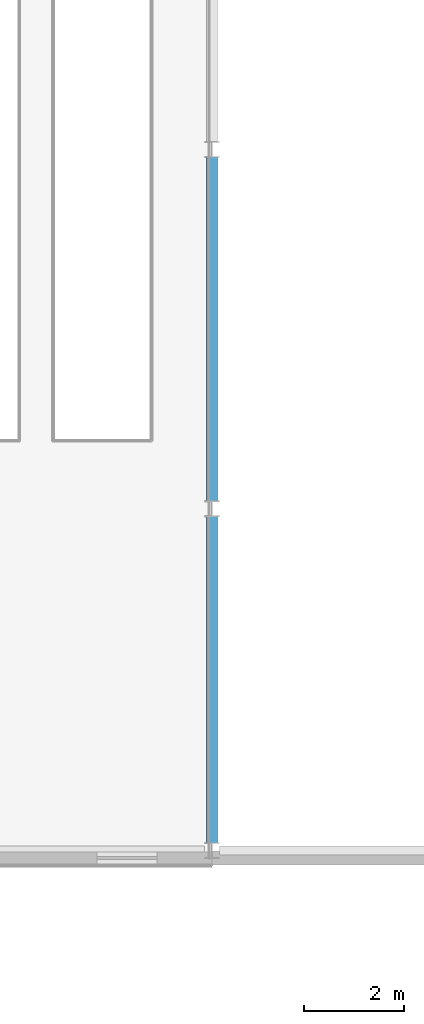
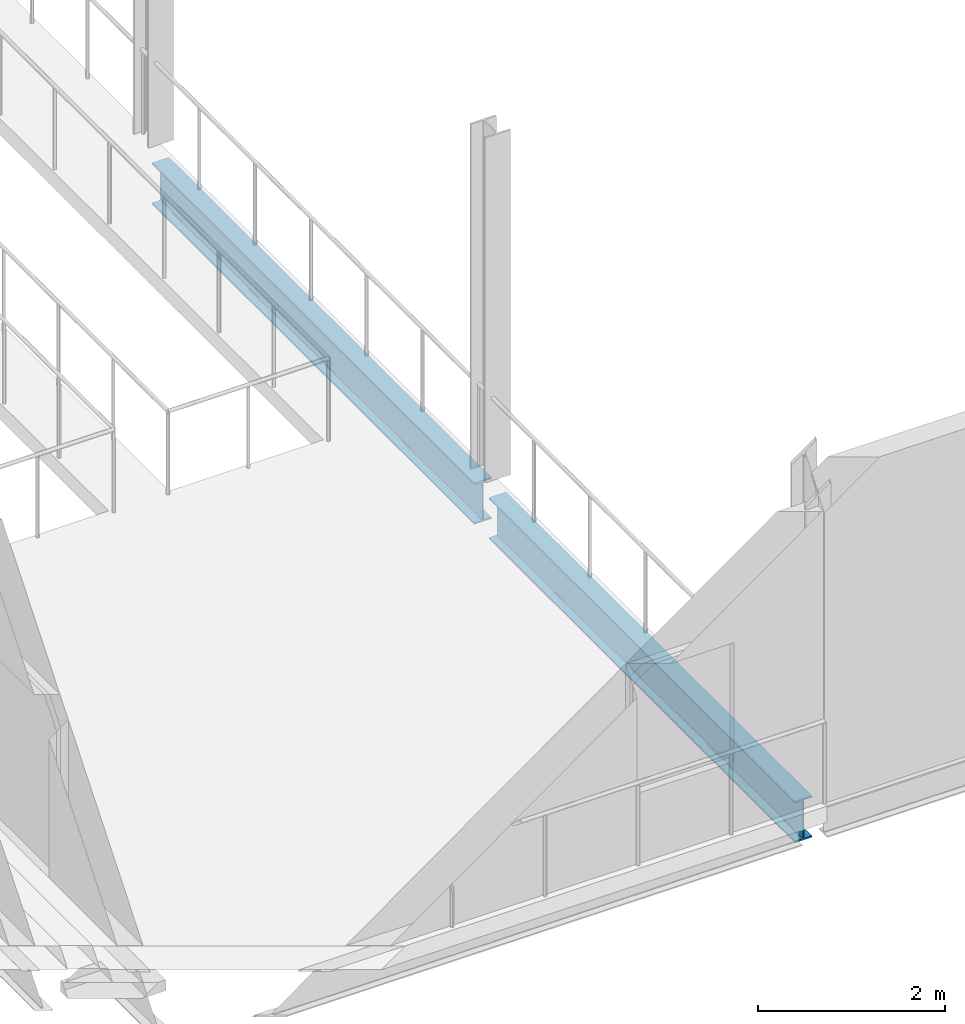
# One storey, part 43 of 77: 2 beams.
"""IFC4 building model written with IfcOpenShell, lengths in metres."""

import ifcopenshell
import ifcopenshell.guid

model = None  # the IFC model being written
_history = None  # IfcOwnerHistory: only IFC2X3 demands one
_inside = {}  # id of a spatial element -> (the spatial element, [elements in it])
_under = {}  # id of a project, library or spatial element -> (it, [spatial elements below it])
_declared = {}  # id of a project -> (the project, [libraries it declares])
_typed = {}  # id of a type object -> (the type object, [elements of that type])
_made_of = {}  # id of a material, layer set ... -> (it, [elements and type objects made of it])


def new_model(schema):
    """Start an empty IFC model of exactly this schema.

    Asked for "IFC4X3", IfcOpenShell would pick the latest addendum, in which some entities
    have other attributes; the version numbers below select the first issue.
    IFC2X3 requires an IfcOwnerHistory on every rooted entity: one is made here for all.
    """
    global model, _history
    if schema == "IFC4X3":
        model = ifcopenshell.file(schema_version=(4, 3, 0, 0))
    else:
        model = ifcopenshell.file(schema=schema)
    _inside.clear()
    _under.clear()
    _declared.clear()
    _typed.clear()
    _made_of.clear()
    _history = None
    if model.schema == "IFC2X3":
        org = make("IfcOrganization", Name="unknown")
        user = make(
            "IfcPersonAndOrganization",
            ThePerson=make("IfcPerson", FamilyName="unknown"),
            TheOrganization=org,
        )
        app = make(
            "IfcApplication",
            ApplicationDeveloper=org,
            Version="unknown",
            ApplicationFullName="unknown",
            ApplicationIdentifier="unknown",
        )
        _history = make(
            "IfcOwnerHistory",
            OwningUser=user,
            OwningApplication=app,
            ChangeAction="ADDED",
            CreationDate=0,
        )
    return model


def make(cls, **values):
    """One entity of the class cls with the attributes given. An attribute that is None is left unset."""
    return model.create_entity(
        cls, **{name: value for name, value in values.items() if value is not None}
    )


def rooted(cls, **values):
    """An entity with a GlobalId (a new one), such as an element, a storey or a relation."""
    return make(cls, GlobalId=ifcopenshell.guid.new(), OwnerHistory=_history, **values)


def si_unit(unit_type, name, prefix=None):
    """IfcSIUnit, for example si_unit("LENGTHUNIT", "METRE", prefix="MILLI")."""
    return make("IfcSIUnit", UnitType=unit_type, Prefix=prefix, Name=name)


def assignment(units):
    """IfcUnitAssignment: the units of a project."""
    return None if units is None else make("IfcUnitAssignment", Units=units)


def point(xyz):
    """IfcCartesianPoint."""
    return None if xyz is None else make("IfcCartesianPoint", Coordinates=xyz)


def direction(xyz):
    """IfcDirection."""
    return None if xyz is None else make("IfcDirection", DirectionRatios=xyz)


def frame(location, z_axis=None, x_axis=None):
    """IfcAxis2Placement3D, a coordinate frame: its origin and axes. An axis left out is left unset."""
    return make(
        "IfcAxis2Placement3D",
        Location=point(location),
        Axis=direction(z_axis),
        RefDirection=direction(x_axis),
    )


def frame_2d(location, x_axis=None):
    """IfcAxis2Placement2D, a coordinate frame in the plane: its origin and x axis."""
    return make(
        "IfcAxis2Placement2D", Location=point(location), RefDirection=direction(x_axis)
    )


def origin():
    """The frame at (0, 0, 0) with its axes left unset."""
    return frame((0.0, 0.0, 0.0))


def origin_2d():
    """The frame at (0, 0) in the plane with its x axis left unset."""
    return frame_2d((0.0, 0.0))


def place(relative_to, where):
    """IfcLocalPlacement: puts the frame where relative to a parent placement (None: the world)."""
    return make(
        "IfcLocalPlacement", PlacementRelTo=relative_to, RelativePlacement=where
    )


def context(
    kind, dimensions, precision=None, world=None, true_north=None, identifier=None
):
    """IfcGeometricRepresentationContext, for example the 3D "Model" context."""
    return make(
        "IfcGeometricRepresentationContext",
        ContextIdentifier=identifier,
        ContextType=kind,
        CoordinateSpaceDimension=dimensions,
        Precision=precision,
        WorldCoordinateSystem=world,
        TrueNorth=true_north,
    )


def subcontext(parent, identifier, kind, view, scale=None):
    """IfcGeometricRepresentationSubContext, for example "Body" below "Model"."""
    return make(
        "IfcGeometricRepresentationSubContext",
        ContextIdentifier=identifier,
        ContextType=kind,
        ParentContext=parent,
        TargetScale=scale,
        TargetView=view,
    )


def project(units=None, contexts=None):
    """IfcProject with its units and contexts."""
    return rooted(
        "IfcProject",
        Name="project",
        RepresentationContexts=contexts,
        UnitsInContext=assignment(units),
    )


def spatial(cls, under=None, at=None, **own):
    """A site, building, storey or space (cls), placed at a placement, below another one or the project."""
    s = rooted(cls, ObjectPlacement=at, **own)
    if under is not None:
        _under.setdefault(under.id(), (under, []))[1].append(s)
    return s


def profile(cls, at=None, kind="AREA", **sizes):
    """A parametric profile (cls). Its sizes go by their IFC names, for example OverallWidth=200.0."""
    return make(cls, ProfileType=kind, Position=at, **sizes)


def i_section(**sizes):
    """IfcIShapeProfileDef."""
    return profile("IfcIShapeProfileDef", **sizes)


def extrude(swept, where, along, depth):
    """IfcExtrudedAreaSolid: the profile swept, set in the frame where, extruded along a direction by depth."""
    return make(
        "IfcExtrudedAreaSolid",
        SweptArea=swept,
        Position=where,
        ExtrudedDirection=direction(along),
        Depth=depth,
    )


def shape(context_of_items, identifier, shape_type, items):
    """IfcShapeRepresentation: the items that make up one representation, for example the "Body"."""
    return make(
        "IfcShapeRepresentation",
        ContextOfItems=context_of_items,
        RepresentationIdentifier=identifier,
        RepresentationType=shape_type,
        Items=items,
    )


def material(Name=None, Category=None):
    """IfcMaterial."""
    return make("IfcMaterial", Name=Name, Category=Category)


def material_profile(
    of_material, cross_section, Name=None, Category=None, Priority=None
):
    """IfcMaterialProfile: a cross section and its material."""
    return make(
        "IfcMaterialProfile",
        Name=Name,
        Material=of_material,
        Profile=cross_section,
        Priority=Priority,
        Category=Category,
    )


def profile_set(profiles, Name=None, composite=None):
    """IfcMaterialProfileSet."""
    return make(
        "IfcMaterialProfileSet",
        Name=Name,
        MaterialProfiles=profiles,
        CompositeProfile=composite,
    )


def made_of(thing, what):
    """Note that an element or type object is made of a material, layer set ...; save() writes the relation."""
    if what is not None:
        _made_of.setdefault(what.id(), (what, []))[1].append(thing)
    return thing


def type_object(cls, material=None, **own):
    """A type object (cls), such as IfcWallType, which elements share."""
    return made_of(rooted(cls, **own), material)


def element(
    cls,
    number,
    at=None,
    inside=None,
    cuts=None,
    type_object=None,
    material=None,
    context=None,
    identifier="Body",
    shape_type=None,
    held_by="IfcProductDefinitionShape",
    body=None,
    shapes=None,
    **own,
):
    """One element of the class cls, such as IfcWall. Its Tag is "e" and its number.

    at: its placement. inside: the storey or other place that contains it. cuts: it is an
    opening in that element (IfcRelVoidsElement). A single representation is given by context,
    identifier, shape_type and body (its items); several are given by shapes. held_by: the class
    of the entity that holds the representations. save() writes the other relations.
    """
    e = rooted(cls, Tag="e%d" % number, ObjectPlacement=at, **own)
    if body is not None:
        shapes = [shape(context, identifier, shape_type, body)]
    if shapes is not None:
        e.Representation = make(held_by, Representations=shapes)
    if inside is not None:
        _inside.setdefault(inside.id(), (inside, []))[1].append(e)
    if cuts is not None:
        rooted(
            "IfcRelVoidsElement", RelatingBuildingElement=cuts, RelatedOpeningElement=e
        )
    if type_object is not None:
        _typed.setdefault(type_object.id(), (type_object, []))[1].append(e)
    return made_of(e, material)


def aggregate(whole, parts):
    """IfcRelAggregates: a whole, such as a stair, and the parts it consists of."""
    return rooted("IfcRelAggregates", RelatingObject=whole, RelatedObjects=parts)


def save(model, path):
    """Write the relations noted so far, then the file.

    IfcRelAggregates (storeys below a building ...), IfcRelContainedInSpatialStructure (elements
    in a storey), IfcRelDefinesByType, IfcRelAssociatesMaterial and IfcRelDeclares: one each for
    every whole, place, type object, material and project.
    """
    for whole, parts in _under.values():
        aggregate(whole, parts)
    for where, things in _inside.values():
        rooted(
            "IfcRelContainedInSpatialStructure",
            RelatedElements=things,
            RelatingStructure=where,
        )
    for kind, things in _typed.values():
        rooted("IfcRelDefinesByType", RelatedObjects=things, RelatingType=kind)
    for what, things in _made_of.values():
        rooted("IfcRelAssociatesMaterial", RelatedObjects=things, RelatingMaterial=what)
    for by, libraries in _declared.values():
        rooted("IfcRelDeclares", RelatingContext=by, RelatedDefinitions=libraries)
    model.write(path)


model = new_model("IFC4")

# Units and contexts
model_context = context("Model", 3, precision=1e-05, world=origin(), true_north=direction((0.0, 1.0)))
body_context = subcontext(model_context, "Body", "Model", "MODEL_VIEW")
ifc_project = project(units=[si_unit("LENGTHUNIT", "METRE"), si_unit("AREAUNIT", "SQUARE_METRE"), si_unit("VOLUMEUNIT", "CUBIC_METRE"), si_unit("PLANEANGLEUNIT", "RADIAN"), si_unit("MASSUNIT", "GRAM", prefix="KILO")], contexts=[model_context])

# Site, building, storey
site_placement = place(None, origin())
site = spatial("IfcSite", under=ifc_project, at=site_placement, CompositionType="ELEMENT")
building_placement = place(site_placement, origin())
building = spatial("IfcBuilding", under=site, at=building_placement, Name="Quillay Park Conservatory", CompositionType="ELEMENT")
storey_placement = place(building_placement, frame((0.0, 0.0, 5.39990234375)))
storey = spatial("IfcBuildingStorey", under=building, at=storey_placement, Name="L01", CompositionType="ELEMENT", Elevation=5.39990234375)

# Beams
ifc_material = material(Name="Steel ASTM A992 Grade 50", Category="steel")
ifc_material_profile = material_profile(ifc_material, i_section(OverallWidth=0.2109375, OverallDepth=0.5390625, WebThickness=0.01171875, FlangeThickness=0.018798828125, FilletRadius=0.013916015625, at=origin_2d()), Name="W530x109")
ifc_profile_set = profile_set([ifc_material_profile], Name="Steel ASTM A992 Grade 50")
beam_type = type_object("IfcBeamType", Name="PRIMARY FLOOR GIRDER W530 X109", PredefinedType="BEAM", material=ifc_profile_set)
beam_1_placement = place(storey_placement, frame((123.60009765625, 85.705078125, -0.4794921875), z_axis=(0.0, 1.0, 0.0), x_axis=(-1.0, 0.0, 0.0)))
element("IfcBeam", 1, at=beam_1_placement, inside=storey, type_object=beam_type, Name="L01 beam BM-V2Y-1715", PredefinedType="BEAM", context=body_context, shape_type="SweptSolid", body=[
    extrude(i_section(OverallWidth=0.2109375, OverallDepth=0.5390625, WebThickness=0.01171875, FlangeThickness=0.018798828125, FilletRadius=0.013916015625, at=origin_2d()), origin(), (0.0, 0.0, 1.0), 6.5400390625),
])
beam_2_placement = place(storey_placement, frame((123.60009765625, 92.554931640625, -0.4794921875), z_axis=(0.0, 1.0, 0.0), x_axis=(-1.0, 0.0, 0.0)))
element("IfcBeam", 2, at=beam_2_placement, inside=storey, type_object=beam_type, Name="L01 beam BM-V2Y-1716", PredefinedType="BEAM", context=body_context, shape_type="SweptSolid", body=[
    extrude(i_section(OverallWidth=0.2109375, OverallDepth=0.5390625, WebThickness=0.01171875, FlangeThickness=0.018798828125, FilletRadius=0.013916015625, at=origin_2d()), origin(), (0.0, 0.0, 1.0), 6.89013671875),
])

save(model, "model.ifc")
